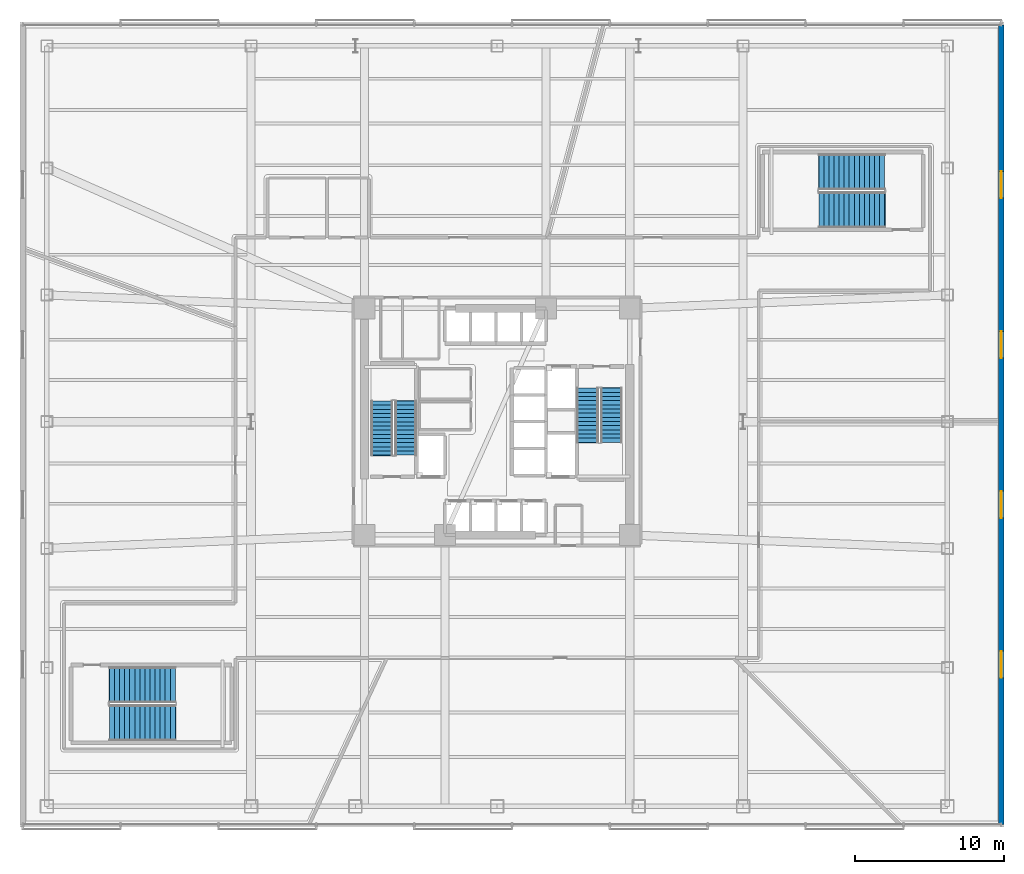
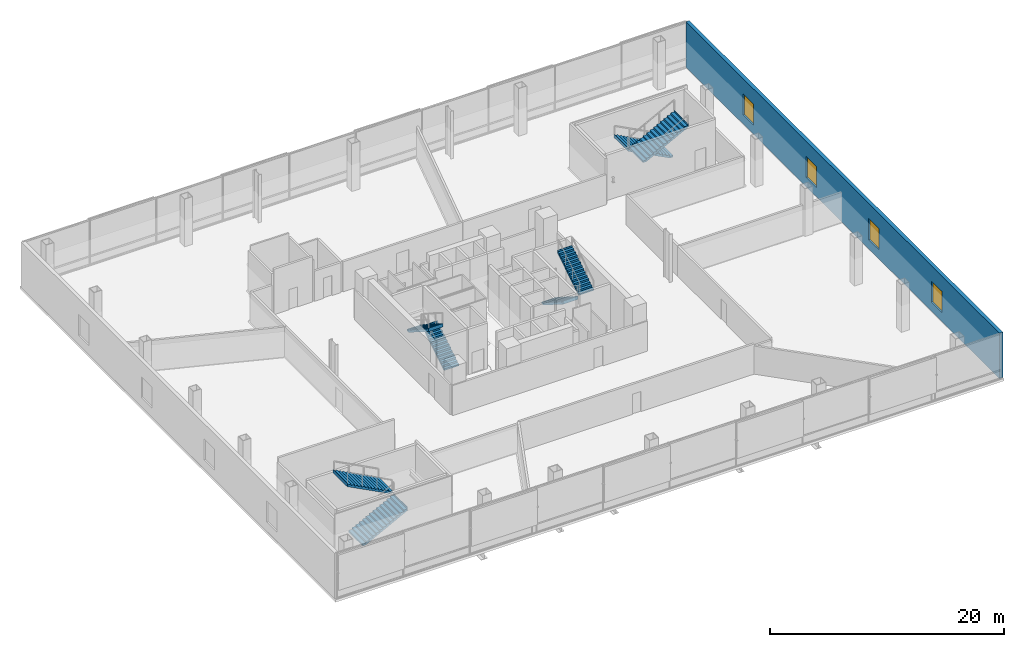
# One storey, part 14 of 24: 8 stair flights, 4 windows, 1 wall, 4 openings, 4 elements without a shape of their own.
"""IFC4 building model written with IfcOpenShell, lengths in metres."""

from ifc_helpers import new_model, si_unit, direction, frame, frame_2d, origin, place, context, subcontext, project, spatial, polyline, rectangle, outline, extrude, material, layer, layer_set, type_object, element, fill, aggregate, save


model = new_model("IFC4")

# Units and contexts
model_context = context("Model", 3, precision=1e-05, world=origin(), true_north=direction((0.0, 1.0)))
body_context = subcontext(model_context, "Body", "Model", "MODEL_VIEW")
ifc_project = project(units=[si_unit("LENGTHUNIT", "METRE"), si_unit("AREAUNIT", "SQUARE_METRE"), si_unit("VOLUMEUNIT", "CUBIC_METRE"), si_unit("PLANEANGLEUNIT", "RADIAN"), si_unit("MASSUNIT", "GRAM", prefix="KILO")], contexts=[model_context])

# Site, building, storey
site_placement = place(None, origin())
site = spatial("IfcSite", under=ifc_project, at=site_placement, CompositionType="ELEMENT")
building_placement = place(site_placement, origin())
building = spatial("IfcBuilding", under=site, at=building_placement, Name="Tharavind Bronze Gate", CompositionType="ELEMENT")
storey_placement = place(building_placement, frame((0.0, 0.0, 21.5)))
storey = spatial("IfcBuildingStorey", under=building, at=storey_placement, Name="L04", CompositionType="ELEMENT", Elevation=21.5)

# Wall, openings, windows
ifc_material_1 = material(Name="Concrete C40/50", Category="concrete")
ifc_layer = layer(ifc_material_1, 0.35009765625)
ifc_layer_set = layer_set([ifc_layer], Name="Concrete C40/50")
wall_type = type_object("IfcWallType", Name="EXTERIOR SPANDREL WALL 350", PredefinedType="STANDARD", material=ifc_layer_set)
wall_placement = place(storey_placement, frame((33.820068359375, -27.02001953125, 0.0), z_axis=(0.0, 0.0, 1.0), x_axis=(0.0, 1.0, 0.0)))
wall = element("IfcWall", 1, at=wall_placement, inside=storey, type_object=wall_type, Name="L04 upper podium east wall", PredefinedType="STANDARD", context=body_context, shape_type="SweptSolid", body=[
    extrude(rectangle(XDim=53.64013671875, YDim=0.35009765625, at=frame_2d((26.820068359375, 0.0))), origin(), (0.0, 0.0, 1.0), 4.739990234375),
])
opening_1_placement = place(wall_placement, frame((9.827880859375, 0.0, 0.949951171875)))
opening_1 = element("IfcOpeningElement", 2, at=opening_1_placement, cuts=wall, Name="Opening W02", PredefinedType="OPENING", context=body_context, shape_type="SweptSolid", body=[
    extrude(rectangle(XDim=1.800048828125, YDim=2.199951171875, at=frame_2d((0.89990234375, 1.10009765625))), frame((0.0, 0.185048828125, 0.0), z_axis=(0.0, -1.0, 0.0), x_axis=(1.0, 0.0, 0.0)), (0.0, 0.0, 1.0), 0.37009765625),
])
opening_2_placement = place(wall_placement, frame((20.555908203125, 0.0, 0.949951171875)))
opening_2 = element("IfcOpeningElement", 3, at=opening_2_placement, cuts=wall, Name="Opening W02", PredefinedType="OPENING", context=body_context, shape_type="SweptSolid", body=[
    extrude(rectangle(XDim=1.800048828125, YDim=2.199951171875, at=frame_2d((0.89990234375, 1.10009765625))), frame((0.0, 0.185048828125, 0.0), z_axis=(0.0, -1.0, 0.0), x_axis=(1.0, 0.0, 0.0)), (0.0, 0.0, 1.0), 0.37009765625),
])
opening_3_placement = place(wall_placement, frame((31.283935546875, 0.0, 0.949951171875)))
opening_3 = element("IfcOpeningElement", 4, at=opening_3_placement, cuts=wall, Name="Opening W02", PredefinedType="OPENING", context=body_context, shape_type="SweptSolid", body=[
    extrude(rectangle(XDim=1.800048828125, YDim=2.199951171875, at=frame_2d((0.89990234375, 1.10009765625))), frame((0.0, 0.185048828125, 0.0), z_axis=(0.0, -1.0, 0.0), x_axis=(1.0, 0.0, 0.0)), (0.0, 0.0, 1.0), 0.37009765625),
])
opening_4_placement = place(wall_placement, frame((42.011962890625, 0.0, 0.949951171875)))
opening_4 = element("IfcOpeningElement", 5, at=opening_4_placement, cuts=wall, Name="Opening W02", PredefinedType="OPENING", context=body_context, shape_type="SweptSolid", body=[
    extrude(rectangle(XDim=1.800048828125, YDim=2.199951171875, at=frame_2d((0.89990234375, 1.10009765625))), frame((0.0, 0.185048828125, 0.0), z_axis=(0.0, -1.0, 0.0), x_axis=(1.0, 0.0, 0.0)), (0.0, 0.0, 1.0), 0.37009765625),
])
ifc_material_2 = material(Name="Bronze Aluminium & Low-E Glass", Category="aluminium")
window_type = type_object("IfcWindowType", Name="DOUBLE PANEL BRONZE WINDOW 1800X2200", PartitioningType="DOUBLE_PANEL_VERTICAL", PredefinedType="WINDOW", material=ifc_material_2)
window_1_placement = place(opening_1_placement, origin())
window_1 = element("IfcWindow", 6, at=window_1_placement, inside=storey, type_object=window_type, Name="L04 exterior window WL-L04-EA-01", OverallHeight=2.199951171875, OverallWidth=1.800048828125, PartitioningType="SINGLE_PANEL", PredefinedType="WINDOW", context=body_context, shape_type="SweptSolid", body=[
    extrude(rectangle(XDim=1.800048828125, YDim=2.199951171875, at=frame_2d((0.89990234375, 1.10009765625))), frame((0.0, 0.030029296875, 0.0), z_axis=(0.0, -1.0, 0.0), x_axis=(1.0, 0.0, 0.0)), (0.0, 0.0, 1.0), 0.06005859375),
])
fill(opening_1, window_1)
window_2_placement = place(opening_2_placement, origin())
window_2 = element("IfcWindow", 7, at=window_2_placement, inside=storey, type_object=window_type, Name="L04 exterior window WL-L04-EA-02", OverallHeight=2.199951171875, OverallWidth=1.800048828125, PartitioningType="SINGLE_PANEL", PredefinedType="WINDOW", context=body_context, shape_type="SweptSolid", body=[
    extrude(rectangle(XDim=1.800048828125, YDim=2.199951171875, at=frame_2d((0.89990234375, 1.10009765625))), frame((0.0, 0.030029296875, 0.0), z_axis=(0.0, -1.0, 0.0), x_axis=(1.0, 0.0, 0.0)), (0.0, 0.0, 1.0), 0.06005859375),
])
fill(opening_2, window_2)
window_3_placement = place(opening_3_placement, origin())
window_3 = element("IfcWindow", 8, at=window_3_placement, inside=storey, type_object=window_type, Name="L04 exterior window WL-L04-EA-03", OverallHeight=2.199951171875, OverallWidth=1.800048828125, PartitioningType="SINGLE_PANEL", PredefinedType="WINDOW", context=body_context, shape_type="SweptSolid", body=[
    extrude(rectangle(XDim=1.800048828125, YDim=2.199951171875, at=frame_2d((0.89990234375, 1.10009765625))), frame((0.0, 0.030029296875, 0.0), z_axis=(0.0, -1.0, 0.0), x_axis=(1.0, 0.0, 0.0)), (0.0, 0.0, 1.0), 0.06005859375),
])
fill(opening_3, window_3)
window_4_placement = place(opening_4_placement, origin())
window_4 = element("IfcWindow", 9, at=window_4_placement, inside=storey, type_object=window_type, Name="L04 exterior window WL-L04-EA-04", OverallHeight=2.199951171875, OverallWidth=1.800048828125, PartitioningType="SINGLE_PANEL", PredefinedType="WINDOW", context=body_context, shape_type="SweptSolid", body=[
    extrude(rectangle(XDim=1.800048828125, YDim=2.199951171875, at=frame_2d((0.89990234375, 1.10009765625))), frame((0.0, 0.030029296875, 0.0), z_axis=(0.0, -1.0, 0.0), x_axis=(1.0, 0.0, 0.0)), (0.0, 0.0, 1.0), 0.06005859375),
])
fill(opening_4, window_4)

# Stair, stair flights
stair_type_1 = type_object("IfcStairType", Name="CORE HALF TURN STAIR 1450", PredefinedType="HALF_TURN_STAIR", material=ifc_material_1)
stair_1_placement = place(storey_placement, origin())
stair_1 = element("IfcStair", 10, at=stair_1_placement, inside=storey, type_object=stair_type_1, Name="L04 Protected Exit Stair ST1", PredefinedType="HALF_TURN_STAIR")
stair_flight_type_1 = type_object("IfcStairFlightType", Name="CORE STAIR FLIGHT 1450", PredefinedType="STRAIGHT", material=ifc_material_1)
stair_flight_1_placement = place(storey_placement, frame((-6.125, -2.25, 0.0), z_axis=(0.0, 0.0, 1.0), x_axis=(0.0, 1.0, 0.0)))
stair_flight_1 = element("IfcStairFlight", 11, at=stair_flight_1_placement, type_object=stair_flight_type_1, Name="ST1 flight 1", NumberOfRisers=14, NumberOfTreads=13, PredefinedType="STRAIGHT", RiserHeight=0.178571429, TreadLength=0.28, context=body_context, shape_type="SweptSolid", body=[
    extrude(outline(polyline([(0.0, 0.0), (0.0, 0.178466796875), (0.280029296875, 0.178466796875), (0.280029296875, 0.357177734375), (0.56005859375, 0.357177734375), (0.56005859375, 0.53564453125), (0.840087890625, 0.53564453125), (0.840087890625, 0.71435546875), (1.1201171875, 0.71435546875), (1.1201171875, 0.892822265625), (1.39990234375, 0.892822265625), (1.39990234375, 1.071533203125), (1.679931640625, 1.071533203125), (1.679931640625, 1.25), (1.9599609375, 1.25), (1.9599609375, 1.428466796875), (2.239990234375, 1.428466796875), (2.239990234375, 1.607177734375), (2.52001953125, 1.607177734375), (2.52001953125, 1.78564453125), (2.800048828125, 1.78564453125), (2.800048828125, 1.96435546875), (3.080078125, 1.96435546875), (3.080078125, 2.142822265625), (3.360107421875, 2.142822265625), (3.360107421875, 2.321533203125), (3.639892578125, 2.321533203125), (3.639892578125, 2.5), (3.676025390625, 2.5), (3.676025390625, 2.1435546875), (0.27880859375, 0.0), (0.0, 0.0)])), frame((0.0, 0.72509765625, 0.0), z_axis=(0.0, -1.0, 0.0), x_axis=(1.0, 0.0, 0.0)), (0.0, 0.0, 1.0), 1.449951171875),
])
stair_flight_2_placement = place(storey_placement, frame((-7.72509765625, 1.389892578125, 2.5), z_axis=(0.0, 0.0, 1.0), x_axis=(0.0, -1.0, 0.0)))
stair_flight_2 = element("IfcStairFlight", 12, at=stair_flight_2_placement, type_object=stair_flight_type_1, Name="ST1 flight 2", NumberOfRisers=14, NumberOfTreads=13, PredefinedType="STRAIGHT", RiserHeight=0.178571429, TreadLength=0.28, context=body_context, shape_type="SweptSolid", body=[
    extrude(outline(polyline([(0.0, 0.0), (0.0, 0.178466796875), (0.280029296875, 0.178466796875), (0.280029296875, 0.357177734375), (0.56005859375, 0.357177734375), (0.56005859375, 0.53564453125), (0.840087890625, 0.53564453125), (0.840087890625, 0.71435546875), (1.1201171875, 0.71435546875), (1.1201171875, 0.892822265625), (1.39990234375, 0.892822265625), (1.39990234375, 1.071533203125), (1.679931640625, 1.071533203125), (1.679931640625, 1.25), (1.9599609375, 1.25), (1.9599609375, 1.428466796875), (2.239990234375, 1.428466796875), (2.239990234375, 1.607177734375), (2.52001953125, 1.607177734375), (2.52001953125, 1.78564453125), (2.800048828125, 1.78564453125), (2.800048828125, 1.96435546875), (3.080078125, 1.96435546875), (3.080078125, 2.142822265625), (3.360107421875, 2.142822265625), (3.360107421875, 2.321533203125), (3.639892578125, 2.321533203125), (3.639892578125, 2.5), (3.676025390625, 2.5), (3.676025390625, 2.1435546875), (0.27880859375, 0.0), (0.0, 0.0)])), frame((0.0, 0.72509765625, 0.0), z_axis=(0.0, -1.0, 0.0), x_axis=(1.0, 0.0, 0.0)), (0.0, 0.0, 1.0), 1.449951171875),
])
aggregate(stair_1, [stair_flight_1, stair_flight_2])

stair_2_placement = place(storey_placement, origin())
stair_2 = element("IfcStair", 13, at=stair_2_placement, inside=storey, type_object=stair_type_1, Name="L04 Protected Exit Stair ST2", PredefinedType="HALF_TURN_STAIR")
stair_flight_3_placement = place(storey_placement, frame((6.074951171875, 2.25, 0.0), z_axis=(0.0, 0.0, 1.0), x_axis=(0.0, -1.0, 0.0)))
stair_flight_3 = element("IfcStairFlight", 14, at=stair_flight_3_placement, type_object=stair_flight_type_1, Name="ST2 flight 1", NumberOfRisers=14, NumberOfTreads=13, PredefinedType="STRAIGHT", RiserHeight=0.178571429, TreadLength=0.28, context=body_context, shape_type="SweptSolid", body=[
    extrude(outline(polyline([(0.0, 0.0), (0.0, 0.178466796875), (0.280029296875, 0.178466796875), (0.280029296875, 0.357177734375), (0.56005859375, 0.357177734375), (0.56005859375, 0.53564453125), (0.840087890625, 0.53564453125), (0.840087890625, 0.71435546875), (1.1201171875, 0.71435546875), (1.1201171875, 0.892822265625), (1.39990234375, 0.892822265625), (1.39990234375, 1.071533203125), (1.679931640625, 1.071533203125), (1.679931640625, 1.25), (1.9599609375, 1.25), (1.9599609375, 1.428466796875), (2.239990234375, 1.428466796875), (2.239990234375, 1.607177734375), (2.52001953125, 1.607177734375), (2.52001953125, 1.78564453125), (2.800048828125, 1.78564453125), (2.800048828125, 1.96435546875), (3.080078125, 1.96435546875), (3.080078125, 2.142822265625), (3.360107421875, 2.142822265625), (3.360107421875, 2.321533203125), (3.639892578125, 2.321533203125), (3.639892578125, 2.5), (3.676025390625, 2.5), (3.676025390625, 2.1435546875), (0.27880859375, 0.0), (0.0, 0.0)])), frame((0.0, 0.72509765625, 0.0), z_axis=(0.0, -1.0, 0.0), x_axis=(1.0, 0.0, 0.0)), (0.0, 0.0, 1.0), 1.449951171875),
])
stair_flight_4_placement = place(storey_placement, frame((7.675048828125, -1.389892578125, 2.5), z_axis=(0.0, 0.0, 1.0), x_axis=(0.0, 1.0, 0.0)))
stair_flight_4 = element("IfcStairFlight", 15, at=stair_flight_4_placement, type_object=stair_flight_type_1, Name="ST2 flight 2", NumberOfRisers=14, NumberOfTreads=13, PredefinedType="STRAIGHT", RiserHeight=0.178571429, TreadLength=0.28, context=body_context, shape_type="SweptSolid", body=[
    extrude(outline(polyline([(0.0, 0.0), (0.0, 0.178466796875), (0.280029296875, 0.178466796875), (0.280029296875, 0.357177734375), (0.56005859375, 0.357177734375), (0.56005859375, 0.53564453125), (0.840087890625, 0.53564453125), (0.840087890625, 0.71435546875), (1.1201171875, 0.71435546875), (1.1201171875, 0.892822265625), (1.39990234375, 0.892822265625), (1.39990234375, 1.071533203125), (1.679931640625, 1.071533203125), (1.679931640625, 1.25), (1.9599609375, 1.25), (1.9599609375, 1.428466796875), (2.239990234375, 1.428466796875), (2.239990234375, 1.607177734375), (2.52001953125, 1.607177734375), (2.52001953125, 1.78564453125), (2.800048828125, 1.78564453125), (2.800048828125, 1.96435546875), (3.080078125, 1.96435546875), (3.080078125, 2.142822265625), (3.360107421875, 2.142822265625), (3.360107421875, 2.321533203125), (3.639892578125, 2.321533203125), (3.639892578125, 2.5), (3.676025390625, 2.5), (3.676025390625, 2.1435546875), (0.27880859375, 0.0), (0.0, 0.0)])), frame((0.0, 0.72509765625, 0.0), z_axis=(0.0, -1.0, 0.0), x_axis=(1.0, 0.0, 0.0)), (0.0, 0.0, 1.0), 1.449951171875),
])
aggregate(stair_2, [stair_flight_3, stair_flight_4])

stair_type_2 = type_object("IfcStairType", Name="PODIUM HALF TURN STAIR 2400", PredefinedType="HALF_TURN_STAIR", material=ifc_material_1)
stair_3_placement = place(storey_placement, origin())
stair_3 = element("IfcStair", 16, at=stair_3_placement, inside=storey, type_object=stair_type_2, Name="L04 Protected Exit Stair ST3", PredefinedType="HALF_TURN_STAIR")
stair_flight_type_2 = type_object("IfcStairFlightType", Name="PODIUM STAIR FLIGHT 2400", PredefinedType="STRAIGHT", material=ifc_material_1)
stair_flight_5_placement = place(storey_placement, frame((-26.0, -20.199951171875, 0.0), z_axis=(0.0, 0.0, 1.0), x_axis=(1.0, 0.0, 0.0)))
stair_flight_5 = element("IfcStairFlight", 17, at=stair_flight_5_placement, type_object=stair_flight_type_2, Name="ST3 flight 1", NumberOfRisers=14, NumberOfTreads=13, PredefinedType="STRAIGHT", RiserHeight=0.178571429, TreadLength=0.34, context=body_context, shape_type="SweptSolid", body=[
    extrude(outline(polyline([(0.0, 0.0), (0.0, 0.178466796875), (0.340087890625, 0.178466796875), (0.340087890625, 0.357177734375), (0.679931640625, 0.357177734375), (0.679931640625, 0.53564453125), (1.02001953125, 0.53564453125), (1.02001953125, 0.71435546875), (1.360107421875, 0.71435546875), (1.360107421875, 0.892822265625), (1.699951171875, 0.892822265625), (1.699951171875, 1.071533203125), (2.0400390625, 1.071533203125), (2.0400390625, 1.25), (2.3798828125, 1.25), (2.3798828125, 1.428466796875), (2.719970703125, 1.428466796875), (2.719970703125, 1.607177734375), (3.06005859375, 1.607177734375), (3.06005859375, 1.78564453125), (3.39990234375, 1.78564453125), (3.39990234375, 1.96435546875), (3.739990234375, 1.96435546875), (3.739990234375, 2.142822265625), (4.080078125, 2.142822265625), (4.080078125, 2.321533203125), (4.419921875, 2.321533203125), (4.419921875, 2.5), (4.4560546875, 2.5), (4.4560546875, 2.152099609375), (0.322265625, 0.0), (0.0, 0.0)])), frame((0.0, 1.199951171875, 0.0), z_axis=(0.0, -1.0, 0.0), x_axis=(1.0, 0.0, 0.0)), (0.0, 0.0, 1.0), 2.39990234375),
])
stair_flight_6_placement = place(storey_placement, frame((-21.580078125, -17.64990234375, 2.5), z_axis=(0.0, 0.0, 1.0), x_axis=(-1.0, 0.0, 0.0)))
stair_flight_6 = element("IfcStairFlight", 18, at=stair_flight_6_placement, type_object=stair_flight_type_2, Name="ST3 flight 2", NumberOfRisers=14, NumberOfTreads=13, PredefinedType="STRAIGHT", RiserHeight=0.178571429, TreadLength=0.34, context=body_context, shape_type="SweptSolid", body=[
    extrude(outline(polyline([(0.0, 0.0), (0.0, 0.178466796875), (0.340087890625, 0.178466796875), (0.340087890625, 0.357177734375), (0.679931640625, 0.357177734375), (0.679931640625, 0.53564453125), (1.02001953125, 0.53564453125), (1.02001953125, 0.71435546875), (1.360107421875, 0.71435546875), (1.360107421875, 0.892822265625), (1.699951171875, 0.892822265625), (1.699951171875, 1.071533203125), (2.0400390625, 1.071533203125), (2.0400390625, 1.25), (2.3798828125, 1.25), (2.3798828125, 1.428466796875), (2.719970703125, 1.428466796875), (2.719970703125, 1.607177734375), (3.06005859375, 1.607177734375), (3.06005859375, 1.78564453125), (3.39990234375, 1.78564453125), (3.39990234375, 1.96435546875), (3.739990234375, 1.96435546875), (3.739990234375, 2.142822265625), (4.080078125, 2.142822265625), (4.080078125, 2.321533203125), (4.419921875, 2.321533203125), (4.419921875, 2.5), (4.4560546875, 2.5), (4.4560546875, 2.152099609375), (0.322265625, 0.0), (0.0, 0.0)])), frame((0.0, 1.199951171875, 0.0), z_axis=(0.0, -1.0, 0.0), x_axis=(1.0, 0.0, 0.0)), (0.0, 0.0, 1.0), 2.39990234375),
])
aggregate(stair_3, [stair_flight_5, stair_flight_6])

stair_4_placement = place(storey_placement, origin())
stair_4 = element("IfcStair", 19, at=stair_4_placement, inside=storey, type_object=stair_type_2, Name="L04 Protected Exit Stair ST4", PredefinedType="HALF_TURN_STAIR")
stair_flight_7_placement = place(storey_placement, frame((26.0, 16.75, 0.0), z_axis=(0.0, 0.0, 1.0), x_axis=(-1.0, 0.0, 0.0)))
stair_flight_7 = element("IfcStairFlight", 20, at=stair_flight_7_placement, type_object=stair_flight_type_2, Name="ST4 flight 1", NumberOfRisers=14, NumberOfTreads=13, PredefinedType="STRAIGHT", RiserHeight=0.178571429, TreadLength=0.34, context=body_context, shape_type="SweptSolid", body=[
    extrude(outline(polyline([(0.0, 0.0), (0.0, 0.178466796875), (0.340087890625, 0.178466796875), (0.340087890625, 0.357177734375), (0.679931640625, 0.357177734375), (0.679931640625, 0.53564453125), (1.02001953125, 0.53564453125), (1.02001953125, 0.71435546875), (1.360107421875, 0.71435546875), (1.360107421875, 0.892822265625), (1.699951171875, 0.892822265625), (1.699951171875, 1.071533203125), (2.0400390625, 1.071533203125), (2.0400390625, 1.25), (2.3798828125, 1.25), (2.3798828125, 1.428466796875), (2.719970703125, 1.428466796875), (2.719970703125, 1.607177734375), (3.06005859375, 1.607177734375), (3.06005859375, 1.78564453125), (3.39990234375, 1.78564453125), (3.39990234375, 1.96435546875), (3.739990234375, 1.96435546875), (3.739990234375, 2.142822265625), (4.080078125, 2.142822265625), (4.080078125, 2.321533203125), (4.419921875, 2.321533203125), (4.419921875, 2.5), (4.4560546875, 2.5), (4.4560546875, 2.152099609375), (0.322265625, 0.0), (0.0, 0.0)])), frame((0.0, 1.199951171875, 0.0), z_axis=(0.0, -1.0, 0.0), x_axis=(1.0, 0.0, 0.0)), (0.0, 0.0, 1.0), 2.39990234375),
])
stair_flight_8_placement = place(storey_placement, frame((21.580078125, 14.199951171875, 2.5), z_axis=(0.0, 0.0, 1.0), x_axis=(1.0, 0.0, 0.0)))
stair_flight_8 = element("IfcStairFlight", 21, at=stair_flight_8_placement, type_object=stair_flight_type_2, Name="ST4 flight 2", NumberOfRisers=14, NumberOfTreads=13, PredefinedType="STRAIGHT", RiserHeight=0.178571429, TreadLength=0.34, context=body_context, shape_type="SweptSolid", body=[
    extrude(outline(polyline([(0.0, 0.0), (0.0, 0.178466796875), (0.340087890625, 0.178466796875), (0.340087890625, 0.357177734375), (0.679931640625, 0.357177734375), (0.679931640625, 0.53564453125), (1.02001953125, 0.53564453125), (1.02001953125, 0.71435546875), (1.360107421875, 0.71435546875), (1.360107421875, 0.892822265625), (1.699951171875, 0.892822265625), (1.699951171875, 1.071533203125), (2.0400390625, 1.071533203125), (2.0400390625, 1.25), (2.3798828125, 1.25), (2.3798828125, 1.428466796875), (2.719970703125, 1.428466796875), (2.719970703125, 1.607177734375), (3.06005859375, 1.607177734375), (3.06005859375, 1.78564453125), (3.39990234375, 1.78564453125), (3.39990234375, 1.96435546875), (3.739990234375, 1.96435546875), (3.739990234375, 2.142822265625), (4.080078125, 2.142822265625), (4.080078125, 2.321533203125), (4.419921875, 2.321533203125), (4.419921875, 2.5), (4.4560546875, 2.5), (4.4560546875, 2.152099609375), (0.322265625, 0.0), (0.0, 0.0)])), frame((0.0, 1.199951171875, 0.0), z_axis=(0.0, -1.0, 0.0), x_axis=(1.0, 0.0, 0.0)), (0.0, 0.0, 1.0), 2.39990234375),
])
aggregate(stair_4, [stair_flight_7, stair_flight_8])

save(model, "model.ifc")
